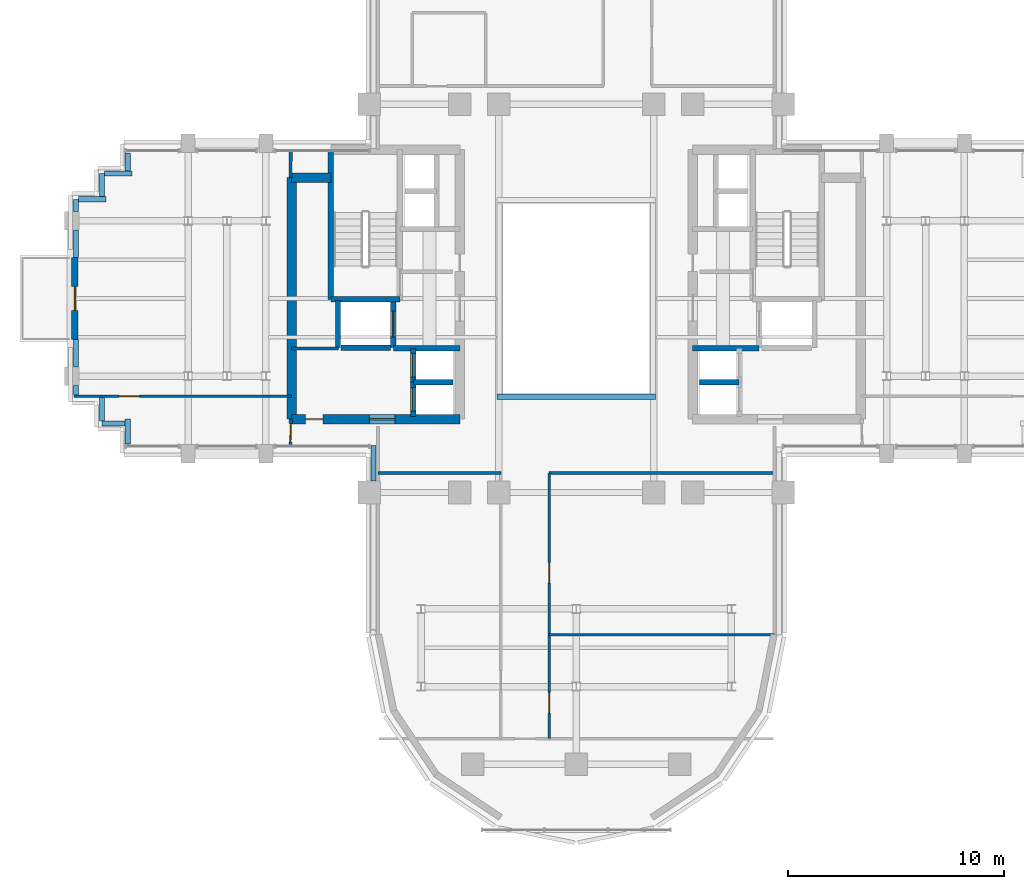
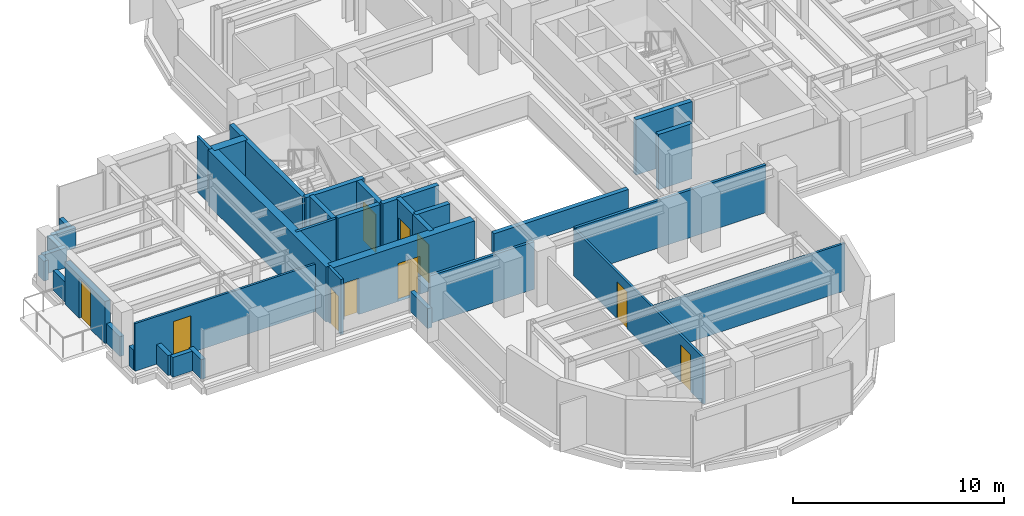
# One storey, part 8 of 13: 36 walls, 10 doors, 10 openings.
"""IFC4 building model written with IfcOpenShell, lengths in metres."""

from ifc_helpers import new_model, si_unit, direction, frame, frame_2d, origin, place, context, subcontext, project, spatial, rectangle, extrude, source, transform, mapped, material, layer, layer_set, type_object, element, fill, save


model = new_model("IFC4")

# Units and contexts
model_context = context("Model", 3, precision=1e-05, world=origin(), true_north=direction((0.0, 1.0)))
body_context = subcontext(model_context, "Body", "Model", "MODEL_VIEW")
ifc_project = project(units=[si_unit("LENGTHUNIT", "METRE"), si_unit("AREAUNIT", "SQUARE_METRE"), si_unit("VOLUMEUNIT", "CUBIC_METRE"), si_unit("PLANEANGLEUNIT", "RADIAN"), si_unit("MASSUNIT", "GRAM", prefix="KILO")], contexts=[model_context])

# Site, building, storey
site_placement = place(None, origin())
site = spatial("IfcSite", under=ifc_project, at=site_placement, CompositionType="ELEMENT")
building_placement = place(site_placement, origin())
building = spatial("IfcBuilding", under=site, at=building_placement, Name="Keilestroom Media Tower", CompositionType="ELEMENT")
storey_placement = place(building_placement, frame((0.0, 0.0, 104.0)))
storey = spatial("IfcBuildingStorey", under=building, at=storey_placement, Name="L27", CompositionType="ELEMENT", Elevation=104.0)

# Wall, opening, door
ifc_material_1 = material(Name="Precast concrete C40/50", Category="concrete")
ifc_layer_1 = layer(ifc_material_1, 0.300048828125)
ifc_layer_set_1 = layer_set([ifc_layer_1], Name="Precast concrete C40/50")
wall_type_1 = type_object("IfcWallType", Name="Exterior-Masonry-Spandrel-Wall-300", PredefinedType="SOLIDWALL", material=ifc_layer_set_1)
wall_1_placement = place(storey_placement, frame((-23.25, -1.89990234375, 0.0), z_axis=(0.0, 0.0, 1.0), x_axis=(0.0, 1.0, 0.0)))
wall_1 = element("IfcWall", 1, at=wall_1_placement, inside=storey, type_object=wall_type_1, Name="L27 Terrace Threshold Wall L27-W", PredefinedType="SOLIDWALL", context=body_context, shape_type="SweptSolid", body=[
    extrude(rectangle(XDim=3.7998046875, YDim=0.300048828125, at=frame_2d((1.89990234375, 0.0))), origin(), (0.0, 0.0, 1.0), 2.449951171875),
])
opening_1_placement = place(wall_1_placement, frame((1.35009765625, 0.0, 0.0)))
opening_1 = element("IfcOpeningElement", 2, at=opening_1_placement, cuts=wall_1, Name="Opening DE-02", PredefinedType="OPENING", context=body_context, shape_type="SweptSolid", body=[
    extrude(rectangle(XDim=1.10009765625, YDim=2.300048828125, at=frame_2d((0.550048828125, 1.14990234375))), frame((0.0, 0.16015625, 0.0), z_axis=(0.0, -1.0, 0.0), x_axis=(1.0, 0.0, 0.0)), (0.0, 0.0, 1.0), 0.320068359375),
])
ifc_material_2 = material(Name="Thermally Broken Aluminium & Laminated Glass", Category="aluminium")
door_type_1 = type_object("IfcDoorType", Name="Exterior-Entrance-And-Terrace-Door-DE-02", OperationType="NOTDEFINED", PredefinedType="DOOR", material=ifc_material_2)
shared_shape_1 = source(origin(), body_context, "Body", "SweptSolid", [
    extrude(rectangle(XDim=1.10009765625, YDim=2.300048828125, at=frame_2d((0.550048828125, 1.14990234375))), frame((0.0, 0.02490234375, 0.0), z_axis=(0.0, -1.0, 0.0), x_axis=(1.0, 0.0, 0.0)), (0.0, 0.0, 1.0), 0.050048828125),
])
door_1_placement = place(opening_1_placement, origin())
door_1 = element("IfcDoor", 3, at=door_1_placement, inside=storey, type_object=door_type_1, Name="L27 Terrace Access Door DE-02 L27-W", OperationType="SINGLE_SWING_LEFT", OverallHeight=2.300048828125, OverallWidth=1.10009765625, PredefinedType="DOOR", context=body_context, shape_type="MappedRepresentation", body=[
    mapped(shared_shape_1, transform((0.0, 0.0, 0.0), x_axis=(1.0, 0.0, 0.0), y_axis=(0.0, 1.0, 0.0), z_axis=(0.0, 0.0, 1.0), scale=1.0)),
])
fill(opening_1, door_1)

# Wall, openings, doors
ifc_material_3 = material(Name="Gypsum Plasterboard & Steel Stud", Category="steel")
ifc_layer_2 = layer(ifc_material_3, 0.1201171875)
ifc_layer_set_2 = layer_set([ifc_layer_2], Name="Gypsum Plasterboard & Steel Stud")
wall_type_2 = type_object("IfcWallType", Name="Interior-Partition-Wall-120", PredefinedType="PARTITIONING", material=ifc_layer_set_2)
wall_2_placement = place(storey_placement, frame((-1.260009765625, -20.419921875, 0.0), z_axis=(0.0, 0.0, 1.0), x_axis=(0.0, 1.0, 0.0)))
wall_2 = element("IfcWall", 4, at=wall_2_placement, inside=storey, type_object=wall_type_2, Name="L27 Interior Wall WP-L27-SL-SPE", PredefinedType="PARTITIONING", context=body_context, shape_type="SweptSolid", body=[
    extrude(rectangle(XDim=12.31982421875, YDim=0.1201171875, at=frame_2d((6.159912109375, 0.0))), origin(), (0.0, 0.0, 1.0), 2.699951171875),
])
opening_2_placement = place(wall_2_placement, frame((7.219970703125, 0.0, 0.0)))
opening_2 = element("IfcOpeningElement", 5, at=opening_2_placement, cuts=wall_2, Name="Opening DI-03", PredefinedType="OPENING", context=body_context, shape_type="SweptSolid", body=[
    extrude(rectangle(XDim=0.949951171875, YDim=2.14990234375, at=frame_2d((0.47509765625, 1.074951171875))), frame((0.0, 0.070068359375, 0.0), z_axis=(0.0, -1.0, 0.0), x_axis=(1.0, 0.0, 0.0)), (0.0, 0.0, 1.0), 0.14013671875),
])
opening_3_placement = place(wall_2_placement, frame((1.199951171875, 0.0, 0.0)))
opening_3 = element("IfcOpeningElement", 6, at=opening_3_placement, cuts=wall_2, Name="Opening DI-03", PredefinedType="OPENING", context=body_context, shape_type="SweptSolid", body=[
    extrude(rectangle(XDim=0.949951171875, YDim=2.14990234375, at=frame_2d((0.47509765625, 1.074951171875))), frame((0.0, 0.070068359375, 0.0), z_axis=(0.0, -1.0, 0.0), x_axis=(1.0, 0.0, 0.0)), (0.0, 0.0, 1.0), 0.14013671875),
])
ifc_material_4 = material(Name="Lacquered European Oak Leaf", Category="wood")
door_type_2 = type_object("IfcDoorType", Name="Interior-Room-And-Suite-Door-DI-03", OperationType="NOTDEFINED", PredefinedType="DOOR", material=ifc_material_4)
shared_shape_2 = source(origin(), body_context, "Body", "SweptSolid", [
    extrude(rectangle(XDim=0.949951171875, YDim=2.14990234375, at=frame_2d((0.47509765625, 1.074951171875))), frame((0.0, 0.02490234375, 0.0), z_axis=(0.0, -1.0, 0.0), x_axis=(1.0, 0.0, 0.0)), (0.0, 0.0, 1.0), 0.050048828125),
])
door_2_placement = place(opening_2_placement, origin())
door_2 = element("IfcDoor", 7, at=door_2_placement, inside=storey, type_object=door_type_2, Name="L27 Interior Door DI-L27-DSL-E1", OperationType="SINGLE_SWING_LEFT", OverallHeight=2.14990234375, OverallWidth=0.949951171875, PredefinedType="DOOR", context=body_context, shape_type="MappedRepresentation", body=[
    mapped(shared_shape_2, transform((0.0, 0.0, 0.0), x_axis=(1.0, 0.0, 0.0), y_axis=(0.0, 1.0, 0.0), z_axis=(0.0, 0.0, 1.0), scale=1.0)),
])
fill(opening_2, door_2)
door_3_placement = place(opening_3_placement, origin())
door_3 = element("IfcDoor", 8, at=door_3_placement, inside=storey, type_object=door_type_2, Name="L27 Interior Door DI-L27-DSL-E2", OperationType="SINGLE_SWING_RIGHT", OverallHeight=2.14990234375, OverallWidth=0.949951171875, PredefinedType="DOOR", context=body_context, shape_type="MappedRepresentation", body=[
    mapped(shared_shape_2, transform((0.0, 0.0, 0.0), x_axis=(1.0, 0.0, 0.0), y_axis=(0.0, 1.0, 0.0), z_axis=(0.0, 0.0, 1.0), scale=1.0)),
])
fill(opening_3, door_3)

# Wall
wall_3_placement = place(storey_placement, frame((-1.260009765625, -15.60009765625, 0.0), z_axis=(0.0, 0.0, 1.0), x_axis=(1.0, 0.0, 0.0)))
element("IfcWall", 9, at=wall_3_placement, inside=storey, type_object=wall_type_2, Name="L27 Interior Wall WP-L27-SL-HEM", PredefinedType="PARTITIONING", context=body_context, shape_type="SweptSolid", body=[
    extrude(rectangle(XDim=10.4599609375, YDim=0.1201171875, at=frame_2d((5.22998046875, 0.0))), origin(), (0.0, 0.0, 1.0), 2.760009765625),
])

# Wall, opening, door
wall_4_placement = place(storey_placement, frame((-23.300048828125, -4.530029296875, 0.0), z_axis=(0.0, 0.0, 1.0), x_axis=(1.0, 0.0, 0.0)))
wall_4 = element("IfcWall", 10, at=wall_4_placement, inside=storey, type_object=wall_type_2, Name="L27 Interior Wall WP-L27-WA-CN", PredefinedType="PARTITIONING", context=body_context, shape_type="SweptSolid", body=[
    extrude(rectangle(XDim=10.10009765625, YDim=0.1201171875, at=frame_2d((5.050048828125, 0.0))), origin(), (0.0, 0.0, 1.0), 2.760009765625),
])
opening_4_placement = place(wall_4_placement, frame((2.10009765625, 0.0, 0.0)))
opening_4 = element("IfcOpeningElement", 11, at=opening_4_placement, cuts=wall_4, Name="Opening DI-03", PredefinedType="OPENING", context=body_context, shape_type="SweptSolid", body=[
    extrude(rectangle(XDim=0.949951171875, YDim=2.14990234375, at=frame_2d((0.47509765625, 1.074951171875))), frame((0.0, 0.070068359375, 0.0), z_axis=(0.0, -1.0, 0.0), x_axis=(1.0, 0.0, 0.0)), (0.0, 0.0, 1.0), 0.14013671875),
])
door_4_placement = place(opening_4_placement, origin())
door_4 = element("IfcDoor", 12, at=door_4_placement, inside=storey, type_object=door_type_2, Name="L27 Interior Door DI-L27-DWA-RN", OperationType="SINGLE_SWING_RIGHT", OverallHeight=2.14990234375, OverallWidth=0.949951171875, PredefinedType="DOOR", context=body_context, shape_type="MappedRepresentation", body=[
    mapped(shared_shape_2, transform((0.0, 0.0, 0.0), x_axis=(1.0, 0.0, 0.0), y_axis=(0.0, 1.0, 0.0), z_axis=(0.0, 0.0, 1.0), scale=1.0)),
])
fill(opening_4, door_4)

# Walls
ifc_layer_3 = layer(ifc_material_3, 0.14990234375)
ifc_layer_set_3 = layer_set([ifc_layer_3], Name="Gypsum Plasterboard & Steel Stud")
wall_type_3 = type_object("IfcWallType", Name="Interior-Partition-Wall-150", PredefinedType="PARTITIONING", material=ifc_layer_set_3)
wall_5_placement = place(storey_placement, frame((-13.199951171875, -2.320068359375, 0.0), z_axis=(0.0, 0.0, 1.0), x_axis=(1.0, 0.0, 0.0)))
element("IfcWall", 13, at=wall_5_placement, inside=storey, type_object=wall_type_3, Name="L27 Interior Wall WP-L27-RECLW-N", PredefinedType="PARTITIONING", context=body_context, shape_type="SweptSolid", body=[
    extrude(rectangle(XDim=2.179931640625, YDim=0.14990234375, at=frame_2d((1.08984375, 0.0))), origin(), (0.0, 0.0, 1.0), 3.199951171875),
])
wall_6_placement = place(storey_placement, frame((-9.199951171875, -8.10009765625, 0.0), z_axis=(0.0, 0.0, 1.0), x_axis=(1.0, 0.0, 0.0)))
element("IfcWall", 14, at=wall_6_placement, inside=storey, type_object=wall_type_3, Name="L27 Interior Wall WP-L27-SL-BASE-W", PredefinedType="PARTITIONING", context=body_context, shape_type="SweptSolid", body=[
    extrude(rectangle(XDim=5.699951171875, YDim=0.14990234375, at=frame_2d((2.85009765625, 0.0))), origin(), (0.0, 0.0, 1.0), 2.760009765625),
])
wall_7_placement = place(storey_placement, frame((-1.260009765625, -8.10009765625, 0.0), z_axis=(0.0, 0.0, 1.0), x_axis=(1.0, 0.0, 0.0)))
element("IfcWall", 15, at=wall_7_placement, inside=storey, type_object=wall_type_3, Name="L27 Interior Wall WP-L27-SL-BASE-E", PredefinedType="PARTITIONING", context=body_context, shape_type="SweptSolid", body=[
    extrude(rectangle(XDim=10.4599609375, YDim=0.14990234375, at=frame_2d((5.22998046875, 0.0))), origin(), (0.0, 0.0, 1.0), 2.760009765625),
])
wall_8_placement = place(storey_placement, frame((-13.260009765625, 5.60009765625, 0.0), z_axis=(0.0, 0.0, 1.0), x_axis=(0.016013571389, 0.999871774545, 0.0)))
element("IfcWall", 16, at=wall_8_placement, inside=storey, type_object=wall_type_3, Name="L27 Interior Wall WP-L27-WA-ENTN", PredefinedType="PARTITIONING", context=body_context, shape_type="SweptSolid", body=[
    extrude(rectangle(XDim=1.250244140625, YDim=0.14990234375, at=frame_2d((0.625, 0.0))), origin(), (0.0, 0.0, 1.0), 3.199951171875),
])

# Wall, opening, door
wall_9_placement = place(storey_placement, frame((-13.260009765625, -6.85009765625, 0.0), z_axis=(0.0, 0.0, 1.0), x_axis=(0.016013571389, 0.999871774545, 0.0)))
wall_9 = element("IfcWall", 17, at=wall_9_placement, inside=storey, type_object=wall_type_3, Name="L27 Interior Wall WP-L27-WA-ENTS", PredefinedType="PARTITIONING", context=body_context, shape_type="SweptSolid", body=[
    extrude(rectangle(XDim=1.250244140625, YDim=0.14990234375, at=frame_2d((0.625, 0.0))), origin(), (0.0, 0.0, 1.0), 3.199951171875),
])
opening_5_placement = place(wall_9_placement, frame((0.199951171875, 0.0, 0.0)))
opening_5 = element("IfcOpeningElement", 18, at=opening_5_placement, cuts=wall_9, Name="Opening DI-05", PredefinedType="OPENING", context=body_context, shape_type="SweptSolid", body=[
    extrude(rectangle(XDim=0.85009765625, YDim=2.10009765625, at=frame_2d((0.425048828125, 1.050048828125))), frame((0.0, 0.0849609375, 0.0), z_axis=(0.0, -1.0, 0.0), x_axis=(1.0, 0.0, 0.0)), (0.0, 0.0, 1.0), 0.169921875),
])
ifc_material_5 = material(Name="Moisture-Resistant Oak Leaf", Category="wood")
door_type_3 = type_object("IfcDoorType", Name="Interior-En-Suite-And-Cupboard-Door-DI-05", OperationType="NOTDEFINED", PredefinedType="DOOR", material=ifc_material_5)
shared_shape_3 = source(origin(), body_context, "Body", "SweptSolid", [
    extrude(rectangle(XDim=0.85009765625, YDim=2.10009765625, at=frame_2d((0.425048828125, 1.050048828125))), frame((0.0, 0.02490234375, 0.0), z_axis=(0.0, -1.0, 0.0), x_axis=(1.0, 0.0, 0.0)), (0.0, 0.0, 1.0), 0.050048828125),
])
door_5_placement = place(opening_5_placement, origin())
door_5 = element("IfcDoor", 19, at=door_5_placement, inside=storey, type_object=door_type_3, Name="L27 Interior Door DI-L27-DWA-ENTS", OperationType="SINGLE_SWING_RIGHT", OverallHeight=2.10009765625, OverallWidth=0.85009765625, PredefinedType="DOOR", context=body_context, shape_type="MappedRepresentation", body=[
    mapped(shared_shape_3, transform((0.0, 0.0, 0.0), x_axis=(1.0, 0.0, 0.0), y_axis=(0.0, 1.0, 0.0), z_axis=(0.0, 0.0, 1.0), scale=1.0)),
])
fill(opening_5, door_5)

# Walls
ifc_material_6 = material(Name="Concrete C55/67", Category="concrete")
ifc_layer_4 = layer(ifc_material_6, 0.449951171875)
ifc_layer_set_4 = layer_set([ifc_layer_4], Name="Concrete C55/67")
wall_type_4 = type_object("IfcWallType", Name="Reinforced-Concrete-Core-Shear-Wall-450", PredefinedType="SHEAR", material=ifc_layer_set_4)
wall_10_placement = place(storey_placement, frame((-13.199951171875, -5.60009765625, 0.0), z_axis=(0.0, 0.0, 1.0), x_axis=(0.0, 1.0, 0.0)))
element("IfcWall", 20, at=wall_10_placement, inside=storey, type_object=wall_type_4, Name="L27 Core Shear Wall WL-L27-CORE-W-OUT", PredefinedType="SHEAR", context=body_context, shape_type="SweptSolid", body=[
    extrude(rectangle(XDim=11.2001953125, YDim=0.449951171875, at=frame_2d((5.60009765625, 0.0))), origin(), (0.0, 0.0, 1.0), 3.199951171875),
])
wall_11_placement = place(storey_placement, frame((-13.199951171875, 5.60009765625, 0.0), z_axis=(0.0, 0.0, 1.0), x_axis=(1.0, 0.0, 0.0)))
element("IfcWall", 21, at=wall_11_placement, inside=storey, type_object=wall_type_4, Name="L27 Core Shear Wall WL-L27-CNW-N", PredefinedType="SHEAR", context=body_context, shape_type="SweptSolid", body=[
    extrude(rectangle(XDim=1.81884765625, YDim=0.449951171875, at=frame_2d((0.909423828125, 0.0))), origin(), (0.0, 0.0, 1.0), 3.199951171875),
])

# Wall, openings, doors
wall_12_placement = place(storey_placement, frame((-13.199951171875, -5.60009765625, 0.0), z_axis=(0.0, 0.0, 1.0), x_axis=(1.0, 0.0, 0.0)))
wall_12 = element("IfcWall", 22, at=wall_12_placement, inside=storey, type_object=wall_type_4, Name="L27 Core Shear Wall WL-L27-CORE-W-S", PredefinedType="SHEAR", context=body_context, shape_type="SweptSolid", body=[
    extrude(rectangle(XDim=7.800048828125, YDim=0.449951171875, at=frame_2d((3.89990234375, 0.0))), origin(), (0.0, 0.0, 1.0), 3.199951171875),
])
opening_6_placement = place(wall_12_placement, frame((3.60009765625, 0.0, 0.0)))
opening_6 = element("IfcOpeningElement", 23, at=opening_6_placement, cuts=wall_12, Name="Opening DI-02", PredefinedType="OPENING", context=body_context, shape_type="SweptSolid", body=[
    extrude(rectangle(XDim=1.199951171875, YDim=2.199951171875, at=frame_2d((0.60009765625, 1.10009765625))), frame((0.0, 0.23486328125, 0.0), z_axis=(0.0, -1.0, 0.0), x_axis=(1.0, 0.0, 0.0)), (0.0, 0.0, 1.0), 0.469970703125),
])
opening_7_placement = place(wall_12_placement, frame((0.64990234375, 0.0, 0.0)))
opening_7 = element("IfcOpeningElement", 24, at=opening_7_placement, cuts=wall_12, Name="Opening DI-06", PredefinedType="OPENING", context=body_context, shape_type="SweptSolid", body=[
    extrude(rectangle(XDim=0.800048828125, YDim=2.10009765625, at=frame_2d((0.39990234375, 1.050048828125))), frame((0.0, 0.23486328125, 0.0), z_axis=(0.0, -1.0, 0.0), x_axis=(1.0, 0.0, 0.0)), (0.0, 0.0, 1.0), 0.469970703125),
])
ifc_material_7 = material(Name="Powder-Coated Steel Fire Leaf", Category="steel")
door_type_4 = type_object("IfcDoorType", Name="Interior-Compartment-Fire-Door-DI-02", OperationType="NOTDEFINED", PredefinedType="DOOR", material=ifc_material_7)
shared_shape_4 = source(origin(), body_context, "Body", "SweptSolid", [
    extrude(rectangle(XDim=1.199951171875, YDim=2.199951171875, at=frame_2d((0.60009765625, 1.10009765625))), frame((0.0, 0.02490234375, 0.0), z_axis=(0.0, -1.0, 0.0), x_axis=(1.0, 0.0, 0.0)), (0.0, 0.0, 1.0), 0.050048828125),
])
door_6_placement = place(opening_6_placement, origin())
door_6 = element("IfcDoor", 25, at=door_6_placement, inside=storey, type_object=door_type_4, Name="L27 W Passenger Lift Lobby Door", OperationType="SINGLE_SWING_LEFT", OverallHeight=2.199951171875, OverallWidth=1.199951171875, PredefinedType="DOOR", context=body_context, shape_type="MappedRepresentation", body=[
    mapped(shared_shape_4, transform((0.0, 0.0, 0.0), x_axis=(1.0, 0.0, 0.0), y_axis=(0.0, 1.0, 0.0), z_axis=(0.0, 0.0, 1.0), scale=1.0)),
])
fill(opening_6, door_6)
ifc_material_8 = material(Name="Powder-Coated Steel Service Leaf", Category="steel")
door_type_5 = type_object("IfcDoorType", Name="Interior-Riser-Access-Door-DI-06", OperationType="NOTDEFINED", PredefinedType="DOOR", material=ifc_material_8)
shared_shape_5 = source(origin(), body_context, "Body", "SweptSolid", [
    extrude(rectangle(XDim=0.800048828125, YDim=2.10009765625, at=frame_2d((0.39990234375, 1.050048828125))), frame((0.0, 0.02490234375, 0.0), z_axis=(0.0, -1.0, 0.0), x_axis=(1.0, 0.0, 0.0)), (0.0, 0.0, 1.0), 0.050048828125),
])
door_7_placement = place(opening_7_placement, origin())
door_7 = element("IfcDoor", 26, at=door_7_placement, inside=storey, type_object=door_type_5, Name="L27 Reclaimed West Core Room Door", OperationType="SINGLE_SWING_LEFT", OverallHeight=2.10009765625, OverallWidth=0.800048828125, PredefinedType="DOOR", context=body_context, shape_type="MappedRepresentation", body=[
    mapped(shared_shape_5, transform((0.0, 0.0, 0.0), x_axis=(1.0, 0.0, 0.0), y_axis=(0.0, 1.0, 0.0), z_axis=(0.0, 0.0, 1.0), scale=1.0)),
])
fill(opening_7, door_7)

# Walls
ifc_material_9 = material(Name="Concrete C50/60", Category="concrete")
ifc_layer_5 = layer(ifc_material_9, 0.25)
ifc_layer_set_5 = layer_set([ifc_layer_5], Name="Concrete C50/60")
wall_type_5 = type_object("IfcWallType", Name="Reinforced-Concrete-Shaft-Wall-250", PredefinedType="SOLIDWALL", material=ifc_layer_set_5)
wall_13_placement = place(storey_placement, frame((-8.47998046875, -2.300048828125, 0.0), z_axis=(0.0, 0.0, 1.0), x_axis=(1.0, 0.0, 0.0)))
element("IfcWall", 27, at=wall_13_placement, inside=storey, type_object=wall_type_5, Name="L27 Core Shear Wall WL-L27-CORE-W-FFS", PredefinedType="SOLIDWALL", context=body_context, shape_type="SweptSolid", body=[
    extrude(rectangle(XDim=3.080078125, YDim=0.25, at=frame_2d((1.5400390625, 0.0))), origin(), (0.0, 0.0, 1.0), 3.199951171875),
])
wall_14_placement = place(storey_placement, frame((-11.381103515625, -0.041015625, 0.0), z_axis=(0.0, 0.0, 1.0), x_axis=(0.0, 1.0, 0.0)))
element("IfcWall", 28, at=wall_14_placement, inside=storey, type_object=wall_type_5, Name="L27 Core Shear Wall WL-L27-STW-W-FAR", PredefinedType="SOLIDWALL", context=body_context, shape_type="SweptSolid", body=[
    extrude(rectangle(XDim=6.94091796875, YDim=0.25, at=frame_2d((3.470458984375, 0.0))), origin(), (0.0, 0.0, 1.0), 3.199951171875),
])
wall_15_placement = place(storey_placement, frame((-11.381103515625, -0.041015625, 0.0), z_axis=(0.0, 0.0, 1.0), x_axis=(1.0, 0.0, 0.0)))
element("IfcWall", 29, at=wall_15_placement, inside=storey, type_object=wall_type_5, Name="L27 Core Shear Wall WL-L27-STW-W-S", PredefinedType="SOLIDWALL", context=body_context, shape_type="SweptSolid", body=[
    extrude(rectangle(XDim=3.2021484375, YDim=0.25, at=frame_2d((1.60107421875, 0.0))), origin(), (0.0, 0.0, 1.0), 3.199951171875),
])
wall_16_placement = place(storey_placement, frame((5.39990234375, -2.300048828125, 0.0), z_axis=(0.0, 0.0, 1.0), x_axis=(1.0, 0.0, 0.0)))
element("IfcWall", 30, at=wall_16_placement, inside=storey, type_object=wall_type_5, Name="L27 Core Shear Wall WL-L27-CORE-E-FFS", PredefinedType="SOLIDWALL", context=body_context, shape_type="SweptSolid", body=[
    extrude(rectangle(XDim=3.080078125, YDim=0.25, at=frame_2d((1.5400390625, 0.0))), origin(), (0.0, 0.0, 1.0), 3.199951171875),
])
wall_17_placement = place(storey_placement, frame((-11.050048828125, -2.280029296875, 0.0), z_axis=(0.0, 0.0, 1.0), x_axis=(0.0, 1.0, 0.0)))
element("IfcWall", 31, at=wall_17_placement, inside=storey, type_object=wall_type_5, Name="L27 Core Shear Wall WL-L27-LSH-FFL-1-W", PredefinedType="SOLIDWALL", context=body_context, shape_type="SweptSolid", body=[
    extrude(rectangle(XDim=2.179931640625, YDim=0.25, at=frame_2d((1.08984375, 0.0))), origin(), (0.0, 0.0, 1.0), 3.199951171875),
])

# Wall, opening, door
wall_18_placement = place(storey_placement, frame((-8.47998046875, -2.280029296875, 0.0), z_axis=(0.0, 0.0, 1.0), x_axis=(0.0, 1.0, 0.0)))
wall_18 = element("IfcWall", 32, at=wall_18_placement, inside=storey, type_object=wall_type_5, Name="L27 Core Shear Wall WL-L27-LSH-FFL-1-E", PredefinedType="SOLIDWALL", context=body_context, shape_type="SweptSolid", body=[
    extrude(rectangle(XDim=2.179931640625, YDim=0.25, at=frame_2d((1.08984375, 0.0))), origin(), (0.0, 0.0, 1.0), 3.199951171875),
])
opening_8_placement = place(wall_18_placement, frame((0.489990234375, 0.0, 0.0)))
opening_8 = element("IfcOpeningElement", 33, at=opening_8_placement, cuts=wall_18, Name="Opening LD-02", PredefinedType="OPENING", context=body_context, shape_type="SweptSolid", body=[
    extrude(rectangle(XDim=1.199951171875, YDim=2.199951171875, at=frame_2d((0.60009765625, 1.10009765625))), frame((0.0, 0.135009765625, 0.0), z_axis=(0.0, -1.0, 0.0), x_axis=(1.0, 0.0, 0.0)), (0.0, 0.0, 1.0), 0.27001953125),
])
ifc_material_10 = material(Name="Brushed Stainless Steel Sliding Leaf", Category="steel")
door_type_6 = type_object("IfcDoorType", Name="Lift-Landing-Sliding-Door-LD-02", OperationType="SLIDING_TO_RIGHT", PredefinedType="DOOR", material=ifc_material_10)
door_8_placement = place(opening_8_placement, origin())
door_8 = element("IfcDoor", 34, at=door_8_placement, inside=storey, type_object=door_type_6, Name="L27 Lift FFL-1 Landing Sliding Door", OperationType="SLIDING_TO_RIGHT", OverallHeight=2.199951171875, OverallWidth=1.199951171875, PredefinedType="DOOR", context=body_context, shape_type="MappedRepresentation", body=[
    mapped(shared_shape_4, transform((0.0, 0.0, 0.0), x_axis=(1.0, 0.0, 0.0), y_axis=(0.0, 1.0, 0.0), z_axis=(0.0, 0.0, 1.0), scale=1.0)),
])
fill(opening_8, door_8)

# Wall
wall_19_placement = place(storey_placement, frame((-10.9208984375, -2.280029296875, 0.0), z_axis=(0.0, 0.0, 1.0), x_axis=(1.0, 0.0, 0.0)))
element("IfcWall", 35, at=wall_19_placement, inside=storey, type_object=wall_type_5, Name="L27 Core Shear Wall WL-L27-LSH-FFL-1-S", PredefinedType="SOLIDWALL", context=body_context, shape_type="SweptSolid", body=[
    extrude(rectangle(XDim=2.31201171875, YDim=0.25, at=frame_2d((1.156005859375, 0.0))), origin(), (0.0, 0.0, 1.0), 3.199951171875),
])

# Wall, opening, door
wall_20_placement = place(storey_placement, frame((-7.56005859375, -5.47998046875, 0.0), z_axis=(0.0, 0.0, 1.0), x_axis=(0.0, 1.0, 0.0)))
wall_20 = element("IfcWall", 36, at=wall_20_placement, inside=storey, type_object=wall_type_5, Name="L27 Core Shear Wall WL-L27-LSH-PL-M1-W", PredefinedType="SOLIDWALL", context=body_context, shape_type="SweptSolid", body=[
    extrude(rectangle(XDim=1.60009765625, YDim=0.25, at=frame_2d((0.800048828125, 0.0))), origin(), (0.0, 0.0, 1.0), 3.199951171875),
])
opening_9_placement = place(wall_20_placement, frame((0.25, 0.0, 0.0)))
opening_9 = element("IfcOpeningElement", 37, at=opening_9_placement, cuts=wall_20, Name="Opening LD-01", PredefinedType="OPENING", context=body_context, shape_type="SweptSolid", body=[
    extrude(rectangle(XDim=1.10009765625, YDim=2.199951171875, at=frame_2d((0.550048828125, 1.10009765625))), frame((0.0, 0.135009765625, 0.0), z_axis=(0.0, -1.0, 0.0), x_axis=(1.0, 0.0, 0.0)), (0.0, 0.0, 1.0), 0.27001953125),
])
door_type_7 = type_object("IfcDoorType", Name="Lift-Landing-Sliding-Door-LD-01", OperationType="SLIDING_TO_LEFT", PredefinedType="DOOR", material=ifc_material_10)
shared_shape_6 = source(origin(), body_context, "Body", "SweptSolid", [
    extrude(rectangle(XDim=1.10009765625, YDim=2.199951171875, at=frame_2d((0.550048828125, 1.10009765625))), frame((0.0, 0.02490234375, 0.0), z_axis=(0.0, -1.0, 0.0), x_axis=(1.0, 0.0, 0.0)), (0.0, 0.0, 1.0), 0.050048828125),
])
door_9_placement = place(opening_9_placement, origin())
door_9 = element("IfcDoor", 38, at=door_9_placement, inside=storey, type_object=door_type_7, Name="L27 Lift PL-M1 Landing Sliding Door", OperationType="SLIDING_TO_LEFT", OverallHeight=2.199951171875, OverallWidth=1.10009765625, PredefinedType="DOOR", context=body_context, shape_type="MappedRepresentation", body=[
    mapped(shared_shape_6, transform((0.0, 0.0, 0.0), x_axis=(1.0, 0.0, 0.0), y_axis=(0.0, 1.0, 0.0), z_axis=(0.0, 0.0, 1.0), scale=1.0)),
])
fill(opening_9, door_9)

# Wall
wall_21_placement = place(storey_placement, frame((-7.56005859375, -3.8798828125, 0.0), z_axis=(0.0, 0.0, 1.0), x_axis=(1.0, 0.0, 0.0)))
element("IfcWall", 39, at=wall_21_placement, inside=storey, type_object=wall_type_5, Name="L27 Core Shear Wall WL-L27-LSH-PL-M1-N", PredefinedType="SOLIDWALL", context=body_context, shape_type="SweptSolid", body=[
    extrude(rectangle(XDim=1.840087890625, YDim=0.25, at=frame_2d((0.919921875, 0.0))), origin(), (0.0, 0.0, 1.0), 3.199951171875),
])

# Wall, opening, door
wall_22_placement = place(storey_placement, frame((-7.56005859375, -3.8798828125, 0.0), z_axis=(0.0, 0.0, 1.0), x_axis=(0.0, 1.0, 0.0)))
wall_22 = element("IfcWall", 40, at=wall_22_placement, inside=storey, type_object=wall_type_5, Name="L27 Core Shear Wall WL-L27-LSH-PL-M2-W", PredefinedType="SOLIDWALL", context=body_context, shape_type="SweptSolid", body=[
    extrude(rectangle(XDim=1.559814453125, YDim=0.25, at=frame_2d((0.77978515625, 0.0))), origin(), (0.0, 0.0, 1.0), 3.199951171875),
])
opening_10_placement = place(wall_22_placement, frame((0.22998046875, 0.0, 0.0)))
opening_10 = element("IfcOpeningElement", 41, at=opening_10_placement, cuts=wall_22, Name="Opening LD-01", PredefinedType="OPENING", context=body_context, shape_type="SweptSolid", body=[
    extrude(rectangle(XDim=1.10009765625, YDim=2.199951171875, at=frame_2d((0.550048828125, 1.10009765625))), frame((0.0, 0.135009765625, 0.0), z_axis=(0.0, -1.0, 0.0), x_axis=(1.0, 0.0, 0.0)), (0.0, 0.0, 1.0), 0.27001953125),
])
door_10_placement = place(opening_10_placement, origin())
door_10 = element("IfcDoor", 42, at=door_10_placement, inside=storey, type_object=door_type_7, Name="L27 Lift PL-M2 Landing Sliding Door", OperationType="SLIDING_TO_LEFT", OverallHeight=2.199951171875, OverallWidth=1.10009765625, PredefinedType="DOOR", context=body_context, shape_type="MappedRepresentation", body=[
    mapped(shared_shape_6, transform((0.0, 0.0, 0.0), x_axis=(1.0, 0.0, 0.0), y_axis=(0.0, 1.0, 0.0), z_axis=(0.0, 0.0, 1.0), scale=1.0)),
])
fill(opening_10, door_10)

# Walls
wall_23_placement = place(storey_placement, frame((5.719970703125, -3.8798828125, 0.0), z_axis=(0.0, 0.0, 1.0), x_axis=(1.0, 0.0, 0.0)))
element("IfcWall", 43, at=wall_23_placement, inside=storey, type_object=wall_type_5, Name="L27 Core Shear Wall WL-L27-LSH-PL-M3-N", PredefinedType="SOLIDWALL", context=body_context, shape_type="SweptSolid", body=[
    extrude(rectangle(XDim=1.840087890625, YDim=0.25, at=frame_2d((0.919921875, 0.0))), origin(), (0.0, 0.0, 1.0), 3.199951171875),
])
ifc_layer_6 = layer(ifc_material_1, 0.239990234375)
ifc_layer_set_6 = layer_set([ifc_layer_6], Name="Precast concrete C40/50")
wall_type_6 = type_object("IfcWallType", Name="Roof-And-Terrace-Parapet-Wall-240", PredefinedType="PARAPET", material=ifc_layer_set_6)
wall_24_placement = place(storey_placement, frame((-9.39990234375, -8.471923828125, 0.0), z_axis=(0.0, 0.0, 1.0), x_axis=(0.0, 1.0, 0.0)))
element("IfcWall", 44, at=wall_24_placement, inside=storey, type_object=wall_type_6, Name="L27 Perimeter Edge Parapet Wall 09", PredefinedType="PARAPET", context=body_context, shape_type="SweptSolid", body=[
    extrude(rectangle(XDim=1.653076171875, YDim=0.239990234375, at=frame_2d((0.82666015625, 0.0))), origin(), (0.0, 0.0, 1.0), 1.14990234375),
])
wall_25_placement = place(storey_placement, frame((-20.800048828125, -6.757080078125, 0.0), z_axis=(0.0, 0.0, 1.0), x_axis=(0.0, 1.0, 0.0)))
element("IfcWall", 45, at=wall_25_placement, inside=storey, type_object=wall_type_6, Name="L27 Perimeter Edge Parapet Wall 10", PredefinedType="PARAPET", context=body_context, shape_type="SweptSolid", body=[
    extrude(rectangle(XDim=1.156982421875, YDim=0.239990234375, at=frame_2d((0.57861328125, 0.0))), origin(), (0.0, 0.0, 1.0), 1.14990234375),
])
wall_26_placement = place(storey_placement, frame((-20.923095703125, -5.800048828125, 0.0), z_axis=(0.0, 0.0, 1.0), x_axis=(-1.0, 0.0, 0.0)))
element("IfcWall", 46, at=wall_26_placement, inside=storey, type_object=wall_type_6, Name="L27 Perimeter Edge Parapet Wall 11", PredefinedType="PARAPET", context=body_context, shape_type="SweptSolid", body=[
    extrude(rectangle(XDim=1.076904296875, YDim=0.239990234375, at=frame_2d((0.53857421875, 0.0))), origin(), (0.0, 0.0, 1.0), 1.14990234375),
])
wall_27_placement = place(storey_placement, frame((-22.0, -5.677001953125, 0.0), z_axis=(0.0, 0.0, 1.0), x_axis=(0.0, 1.0, 0.0)))
element("IfcWall", 47, at=wall_27_placement, inside=storey, type_object=wall_type_6, Name="L27 Perimeter Edge Parapet Wall 12", PredefinedType="PARAPET", context=body_context, shape_type="SweptSolid", body=[
    extrude(rectangle(XDim=1.083984375, YDim=0.239990234375, at=frame_2d((0.5419921875, 0.0))), origin(), (0.0, 0.0, 1.0), 1.14990234375),
])
wall_28_placement = place(storey_placement, frame((-23.199951171875, -4.467041015625, 0.0), z_axis=(0.0, 0.0, 1.0), x_axis=(0.0, 1.0, 0.0)))
element("IfcWall", 48, at=wall_28_placement, inside=storey, type_object=wall_type_6, Name="L27 Perimeter Edge Parapet Wall 13", PredefinedType="PARAPET", context=body_context, shape_type="SweptSolid", body=[
    extrude(rectangle(XDim=0.43896484375, YDim=0.239990234375, at=frame_2d((0.219482421875, 0.0))), origin(), (0.0, 0.0, 1.0), 1.14990234375),
])
for number, where, z_axis, x_axis, name in (
    (49, (-23.199951171875, -3.172119140625, 0.0), (0.0, 0.0, 1.0), (0.0, 1.0, 0.0), "L27 Perimeter Edge Parapet Wall 14"),
    (50, (-23.199951171875, 1.903076171875, 0.0), (0.0, 0.0, 1.0), (0.0, 1.0, 0.0), "L27 Perimeter Edge Parapet Wall 15"),
):
    element("IfcWall", number, at=place(storey_placement, frame(where, z_axis=z_axis, x_axis=x_axis)), inside=storey, type_object=wall_type_6, Name=name, PredefinedType="PARAPET", context=body_context, shape_type="SweptSolid", body=[
        extrude(rectangle(XDim=1.26904296875, YDim=0.239990234375, at=frame_2d((0.634521484375, 0.0))), origin(), (0.0, 0.0, 1.0), 1.14990234375),
    ])
wall_29_placement = place(storey_placement, frame((-23.199951171875, 4.028076171875, 0.0), z_axis=(0.0, 0.0, 1.0), x_axis=(0.0, 1.0, 0.0)))
element("IfcWall", 51, at=wall_29_placement, inside=storey, type_object=wall_type_6, Name="L27 Perimeter Edge Parapet Wall 16", PredefinedType="PARAPET", context=body_context, shape_type="SweptSolid", body=[
    extrude(rectangle(XDim=0.572021484375, YDim=0.239990234375, at=frame_2d((0.2861328125, 0.0))), origin(), (0.0, 0.0, 1.0), 1.14990234375),
])
wall_30_placement = place(storey_placement, frame((-23.076904296875, 4.60009765625, 0.0), z_axis=(0.0, 0.0, 1.0), x_axis=(1.0, 0.0, 0.0)))
element("IfcWall", 52, at=wall_30_placement, inside=storey, type_object=wall_type_6, Name="L27 Perimeter Edge Parapet Wall 17", PredefinedType="PARAPET", context=body_context, shape_type="SweptSolid", body=[
    extrude(rectangle(XDim=1.27685546875, YDim=0.239990234375, at=frame_2d((0.638427734375, 0.0))), origin(), (0.0, 0.0, 1.0), 1.14990234375),
])
wall_31_placement = place(storey_placement, frame((-22.0, 4.722900390625, 0.0), z_axis=(0.0, 0.0, 1.0), x_axis=(0.0, 1.0, 0.0)))
element("IfcWall", 53, at=wall_31_placement, inside=storey, type_object=wall_type_6, Name="L27 Perimeter Edge Parapet Wall 18", PredefinedType="PARAPET", context=body_context, shape_type="SweptSolid", body=[
    extrude(rectangle(XDim=1.0771484375, YDim=0.239990234375, at=frame_2d((0.53857421875, 0.0))), origin(), (0.0, 0.0, 1.0), 1.14990234375),
])
wall_32_placement = place(storey_placement, frame((-21.876953125, 5.800048828125, 0.0), z_axis=(0.0, 0.0, 1.0), x_axis=(1.0, 0.0, 0.0)))
element("IfcWall", 54, at=wall_32_placement, inside=storey, type_object=wall_type_6, Name="L27 Perimeter Edge Parapet Wall 19", PredefinedType="PARAPET", context=body_context, shape_type="SweptSolid", body=[
    extrude(rectangle(XDim=1.27685546875, YDim=0.239990234375, at=frame_2d((0.638427734375, 0.0))), origin(), (0.0, 0.0, 1.0), 1.14990234375),
])
wall_33_placement = place(storey_placement, frame((-20.800048828125, 5.923095703125, 0.0), z_axis=(0.0, 0.0, 1.0), x_axis=(0.0, 1.0, 0.0)))
element("IfcWall", 55, at=wall_33_placement, inside=storey, type_object=wall_type_6, Name="L27 Perimeter Edge Parapet Wall 20", PredefinedType="PARAPET", context=body_context, shape_type="SweptSolid", body=[
    extrude(rectangle(XDim=0.833984375, YDim=0.239990234375, at=frame_2d((0.4169921875, 0.0))), origin(), (0.0, 0.0, 1.0), 1.14990234375),
])
wall_34_placement = place(storey_placement, frame((-3.679931640625, -4.56005859375, 0.0), z_axis=(0.0, 0.0, 1.0), x_axis=(1.0, 0.0, 0.0)))
element("IfcWall", 56, at=wall_34_placement, inside=storey, type_object=wall_type_6, Name="L27 Central Atrium Guard Parapet S", PredefinedType="PARAPET", context=body_context, shape_type="SweptSolid", body=[
    extrude(rectangle(XDim=7.35986328125, YDim=0.239990234375, at=frame_2d((3.679931640625, 0.0))), origin(), (0.0, 0.0, 1.0), 1.14990234375),
])

save(model, "model.ifc")
